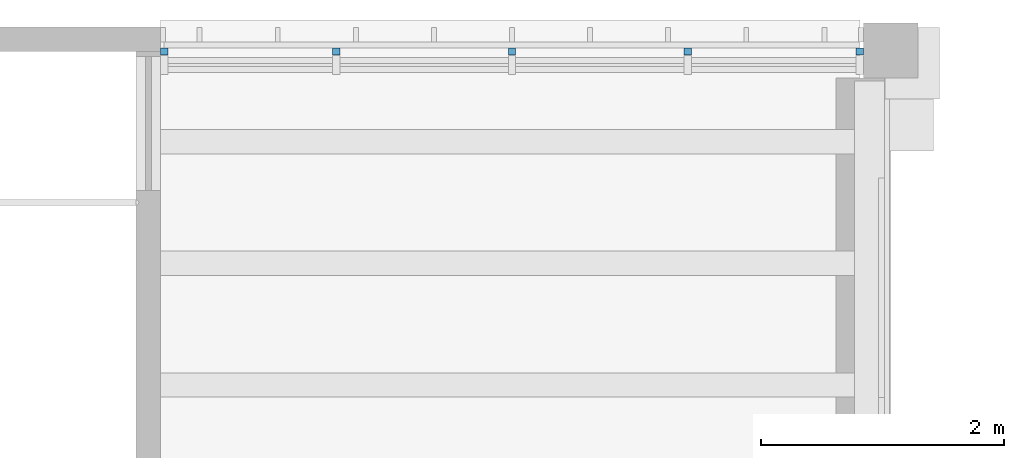
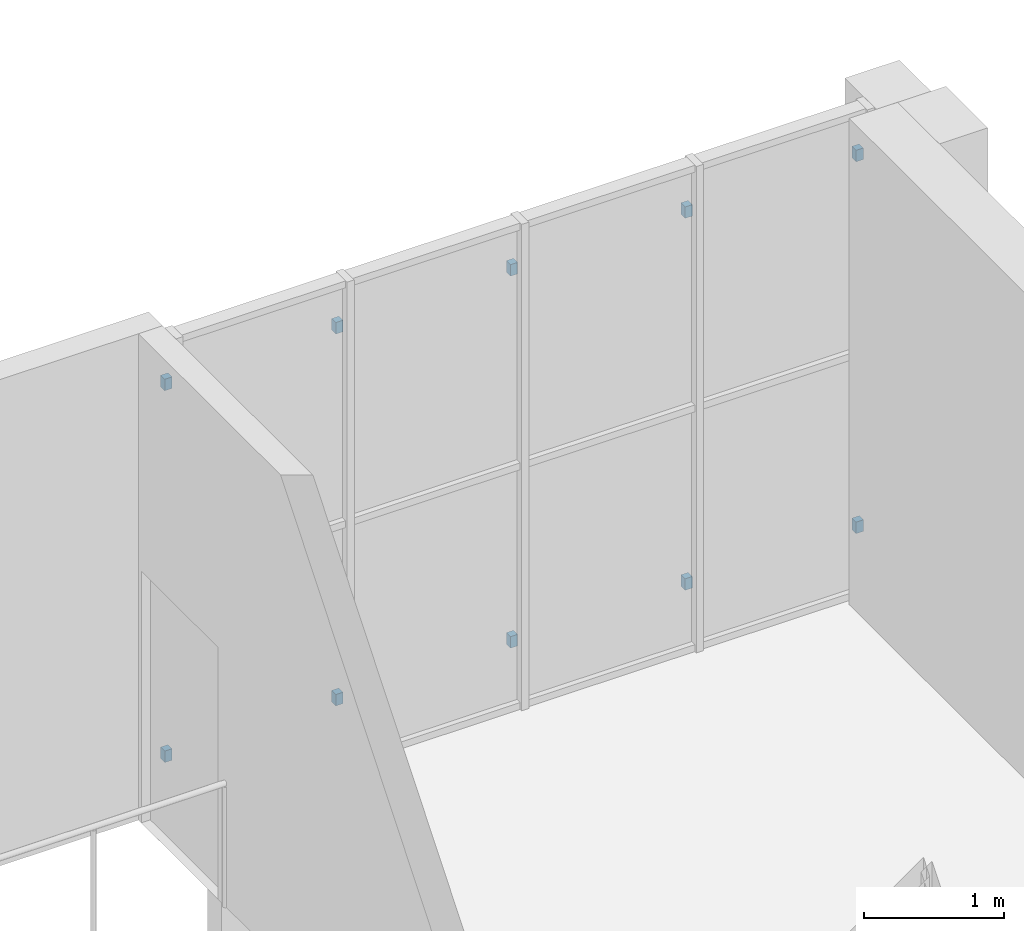
# One storey, part 50 of 70: 10 discrete accessories.
"""IFC4 building model written with IfcOpenShell, lengths in metres."""

from ifc_helpers import new_model, si_unit, direction, frame, origin, origin_2d, place, context, subcontext, project, spatial, rectangle, extrude, element, save


model = new_model("IFC4")

# Units and contexts
model_context = context("Model", 3, precision=1e-05, world=origin(), true_north=direction((0.0, 1.0)))
body_context = subcontext(model_context, "Body", "Model", "MODEL_VIEW")
ifc_project = project(units=[si_unit("LENGTHUNIT", "METRE"), si_unit("AREAUNIT", "SQUARE_METRE"), si_unit("VOLUMEUNIT", "CUBIC_METRE"), si_unit("PLANEANGLEUNIT", "RADIAN"), si_unit("MASSUNIT", "GRAM", prefix="KILO")], contexts=[model_context])

# Site, building, storey
site_placement = place(None, origin())
site = spatial("IfcSite", under=ifc_project, at=site_placement, CompositionType="ELEMENT")
building_placement = place(site_placement, origin())
building = spatial("IfcBuilding", under=site, at=building_placement, Name="Saffron Lane Theatres", CompositionType="ELEMENT")
storey_placement = place(building_placement, frame((0.0, 0.0, 12.0)))
storey = spatial("IfcBuildingStorey", under=building, at=storey_placement, Name="L02", CompositionType="ELEMENT", Elevation=12.0)

# Discrete accessories
for number, where, z_axis, x_axis, name in (
    (1, (6.030029296875, 125.739990234375, 0.449951171875), (0.0, 0.0, 1.0), (1.0, 0.0, 0.0), "Lattice bracket"),
    (2, (6.030029296875, 125.739990234375, 3.699951171875), (0.0, 0.0, 1.0), (1.0, 0.0, 0.0), "Lattice bracket"),
    (3, (7.44384765625, 125.739990234375, 0.449951171875), (0.0, 0.0, 1.0), (1.0, 0.0, 0.0), "Lattice bracket"),
    (4, (7.44384765625, 125.739990234375, 3.699951171875), (0.0, 0.0, 1.0), (1.0, 0.0, 0.0), "Lattice bracket"),
    (5, (8.887451171875, 125.739990234375, 0.449951171875), (0.0, 0.0, 1.0), (1.0, 0.0, 0.0), "Lattice bracket"),
    (6, (8.887451171875, 125.739990234375, 3.699951171875), (0.0, 0.0, 1.0), (1.0, 0.0, 0.0), "Lattice bracket"),
    (7, (10.331298828125, 125.739990234375, 0.449951171875), (0.0, 0.0, 1.0), (1.0, 0.0, 0.0), "Lattice bracket"),
    (8, (10.331298828125, 125.739990234375, 3.699951171875), (0.0, 0.0, 1.0), (1.0, 0.0, 0.0), "Lattice bracket"),
    (9, (11.744873046875, 125.739990234375, 0.449951171875), (0.0, 0.0, 1.0), (1.0, 0.0, 0.0), "Lattice bracket"),
    (10, (11.744873046875, 125.739990234375, 3.699951171875), (0.0, 0.0, 1.0), (1.0, 0.0, 0.0), "Lattice bracket"),
):
    element("IfcDiscreteAccessory", number, at=place(storey_placement, frame(where, z_axis=z_axis, x_axis=x_axis)), inside=storey, Name=name, PredefinedType="BRACKET", context=body_context, shape_type="SweptSolid", body=[
        extrude(rectangle(XDim=0.06005859375, YDim=0.06005859375, at=origin_2d()), origin(), (0.0, 0.0, 1.0), 0.10009765625),
    ])

save(model, "model.ifc")
